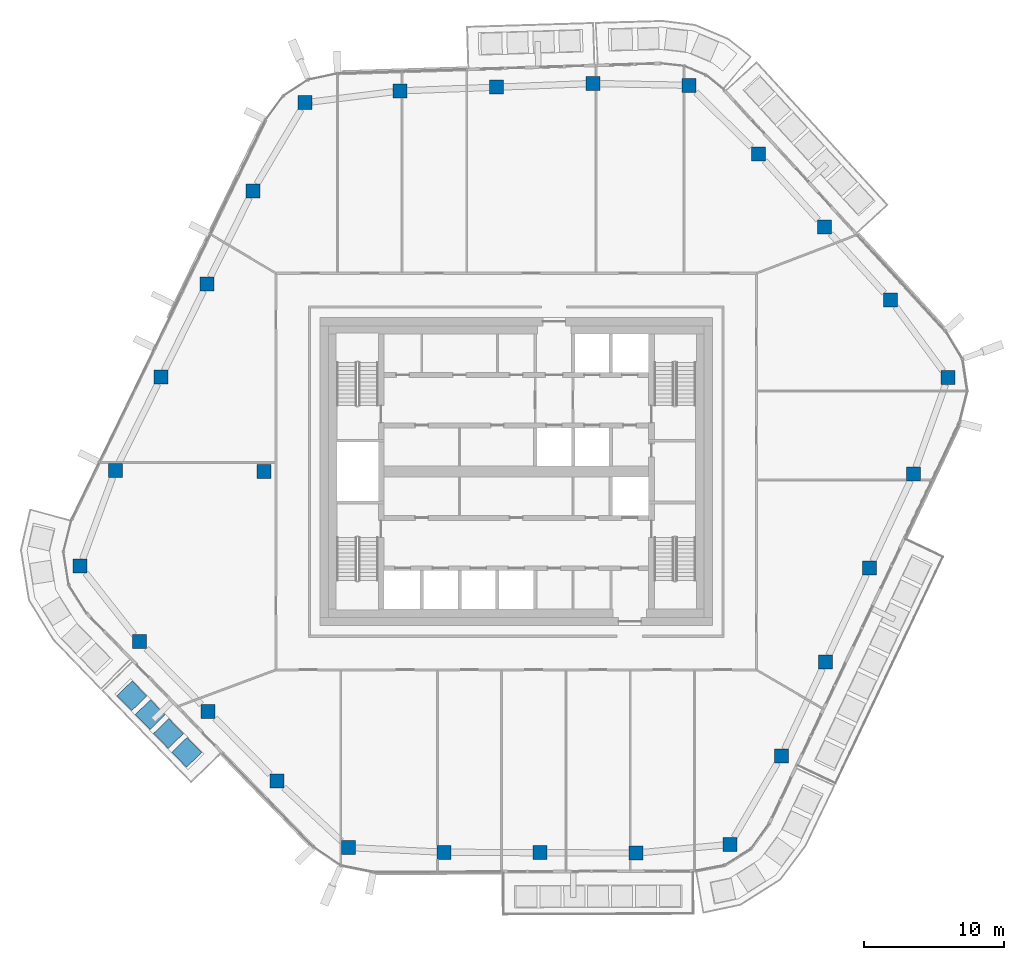
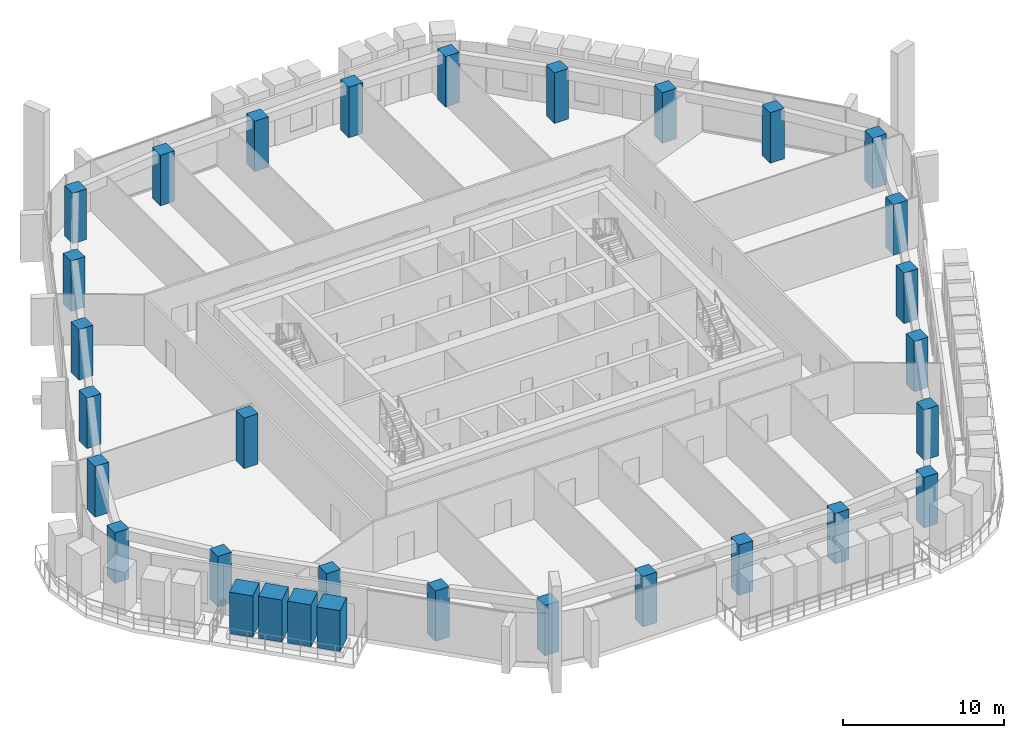
# One storey, part 1 of 24: 27 columns, 4 members.
"""IFC4 building model written with IfcOpenShell, lengths in metres."""

import ifcopenshell
import ifcopenshell.guid

model = None  # the IFC model being written
_history = None  # IfcOwnerHistory: only IFC2X3 demands one
_inside = {}  # id of a spatial element -> (the spatial element, [elements in it])
_under = {}  # id of a project, library or spatial element -> (it, [spatial elements below it])
_declared = {}  # id of a project -> (the project, [libraries it declares])
_typed = {}  # id of a type object -> (the type object, [elements of that type])
_made_of = {}  # id of a material, layer set ... -> (it, [elements and type objects made of it])


def new_model(schema):
    """Start an empty IFC model of exactly this schema.

    Asked for "IFC4X3", IfcOpenShell would pick the latest addendum, in which some entities
    have other attributes; the version numbers below select the first issue.
    IFC2X3 requires an IfcOwnerHistory on every rooted entity: one is made here for all.
    """
    global model, _history
    if schema == "IFC4X3":
        model = ifcopenshell.file(schema_version=(4, 3, 0, 0))
    else:
        model = ifcopenshell.file(schema=schema)
    _inside.clear()
    _under.clear()
    _declared.clear()
    _typed.clear()
    _made_of.clear()
    _history = None
    if model.schema == "IFC2X3":
        org = make("IfcOrganization", Name="unknown")
        user = make(
            "IfcPersonAndOrganization",
            ThePerson=make("IfcPerson", FamilyName="unknown"),
            TheOrganization=org,
        )
        app = make(
            "IfcApplication",
            ApplicationDeveloper=org,
            Version="unknown",
            ApplicationFullName="unknown",
            ApplicationIdentifier="unknown",
        )
        _history = make(
            "IfcOwnerHistory",
            OwningUser=user,
            OwningApplication=app,
            ChangeAction="ADDED",
            CreationDate=0,
        )
    return model


def make(cls, **values):
    """One entity of the class cls with the attributes given. An attribute that is None is left unset."""
    return model.create_entity(
        cls, **{name: value for name, value in values.items() if value is not None}
    )


def rooted(cls, **values):
    """An entity with a GlobalId (a new one), such as an element, a storey or a relation."""
    return make(cls, GlobalId=ifcopenshell.guid.new(), OwnerHistory=_history, **values)


def si_unit(unit_type, name, prefix=None):
    """IfcSIUnit, for example si_unit("LENGTHUNIT", "METRE", prefix="MILLI")."""
    return make("IfcSIUnit", UnitType=unit_type, Prefix=prefix, Name=name)


def assignment(units):
    """IfcUnitAssignment: the units of a project."""
    return None if units is None else make("IfcUnitAssignment", Units=units)


def point(xyz):
    """IfcCartesianPoint."""
    return None if xyz is None else make("IfcCartesianPoint", Coordinates=xyz)


def direction(xyz):
    """IfcDirection."""
    return None if xyz is None else make("IfcDirection", DirectionRatios=xyz)


def frame(location, z_axis=None, x_axis=None):
    """IfcAxis2Placement3D, a coordinate frame: its origin and axes. An axis left out is left unset."""
    return make(
        "IfcAxis2Placement3D",
        Location=point(location),
        Axis=direction(z_axis),
        RefDirection=direction(x_axis),
    )


def frame_2d(location, x_axis=None):
    """IfcAxis2Placement2D, a coordinate frame in the plane: its origin and x axis."""
    return make(
        "IfcAxis2Placement2D", Location=point(location), RefDirection=direction(x_axis)
    )


def origin():
    """The frame at (0, 0, 0) with its axes left unset."""
    return frame((0.0, 0.0, 0.0))


def origin_2d():
    """The frame at (0, 0) in the plane with its x axis left unset."""
    return frame_2d((0.0, 0.0))


def place(relative_to, where):
    """IfcLocalPlacement: puts the frame where relative to a parent placement (None: the world)."""
    return make(
        "IfcLocalPlacement", PlacementRelTo=relative_to, RelativePlacement=where
    )


def context(
    kind, dimensions, precision=None, world=None, true_north=None, identifier=None
):
    """IfcGeometricRepresentationContext, for example the 3D "Model" context."""
    return make(
        "IfcGeometricRepresentationContext",
        ContextIdentifier=identifier,
        ContextType=kind,
        CoordinateSpaceDimension=dimensions,
        Precision=precision,
        WorldCoordinateSystem=world,
        TrueNorth=true_north,
    )


def subcontext(parent, identifier, kind, view, scale=None):
    """IfcGeometricRepresentationSubContext, for example "Body" below "Model"."""
    return make(
        "IfcGeometricRepresentationSubContext",
        ContextIdentifier=identifier,
        ContextType=kind,
        ParentContext=parent,
        TargetScale=scale,
        TargetView=view,
    )


def project(units=None, contexts=None):
    """IfcProject with its units and contexts."""
    return rooted(
        "IfcProject",
        Name="project",
        RepresentationContexts=contexts,
        UnitsInContext=assignment(units),
    )


def spatial(cls, under=None, at=None, **own):
    """A site, building, storey or space (cls), placed at a placement, below another one or the project."""
    s = rooted(cls, ObjectPlacement=at, **own)
    if under is not None:
        _under.setdefault(under.id(), (under, []))[1].append(s)
    return s


def profile(cls, at=None, kind="AREA", **sizes):
    """A parametric profile (cls). Its sizes go by their IFC names, for example OverallWidth=200.0."""
    return make(cls, ProfileType=kind, Position=at, **sizes)


def rectangle(**sizes):
    """IfcRectangleProfileDef."""
    return profile("IfcRectangleProfileDef", **sizes)


def extrude(swept, where, along, depth):
    """IfcExtrudedAreaSolid: the profile swept, set in the frame where, extruded along a direction by depth."""
    return make(
        "IfcExtrudedAreaSolid",
        SweptArea=swept,
        Position=where,
        ExtrudedDirection=direction(along),
        Depth=depth,
    )


def shape(context_of_items, identifier, shape_type, items):
    """IfcShapeRepresentation: the items that make up one representation, for example the "Body"."""
    return make(
        "IfcShapeRepresentation",
        ContextOfItems=context_of_items,
        RepresentationIdentifier=identifier,
        RepresentationType=shape_type,
        Items=items,
    )


def material(Name=None, Category=None):
    """IfcMaterial."""
    return make("IfcMaterial", Name=Name, Category=Category)


def material_profile(
    of_material, cross_section, Name=None, Category=None, Priority=None
):
    """IfcMaterialProfile: a cross section and its material."""
    return make(
        "IfcMaterialProfile",
        Name=Name,
        Material=of_material,
        Profile=cross_section,
        Priority=Priority,
        Category=Category,
    )


def profile_set(profiles, Name=None, composite=None):
    """IfcMaterialProfileSet."""
    return make(
        "IfcMaterialProfileSet",
        Name=Name,
        MaterialProfiles=profiles,
        CompositeProfile=composite,
    )


def made_of(thing, what):
    """Note that an element or type object is made of a material, layer set ...; save() writes the relation."""
    if what is not None:
        _made_of.setdefault(what.id(), (what, []))[1].append(thing)
    return thing


def type_object(cls, material=None, **own):
    """A type object (cls), such as IfcWallType, which elements share."""
    return made_of(rooted(cls, **own), material)


def element(
    cls,
    number,
    at=None,
    inside=None,
    cuts=None,
    type_object=None,
    material=None,
    context=None,
    identifier="Body",
    shape_type=None,
    held_by="IfcProductDefinitionShape",
    body=None,
    shapes=None,
    **own,
):
    """One element of the class cls, such as IfcWall. Its Tag is "e" and its number.

    at: its placement. inside: the storey or other place that contains it. cuts: it is an
    opening in that element (IfcRelVoidsElement). A single representation is given by context,
    identifier, shape_type and body (its items); several are given by shapes. held_by: the class
    of the entity that holds the representations. save() writes the other relations.
    """
    e = rooted(cls, Tag="e%d" % number, ObjectPlacement=at, **own)
    if body is not None:
        shapes = [shape(context, identifier, shape_type, body)]
    if shapes is not None:
        e.Representation = make(held_by, Representations=shapes)
    if inside is not None:
        _inside.setdefault(inside.id(), (inside, []))[1].append(e)
    if cuts is not None:
        rooted(
            "IfcRelVoidsElement", RelatingBuildingElement=cuts, RelatedOpeningElement=e
        )
    if type_object is not None:
        _typed.setdefault(type_object.id(), (type_object, []))[1].append(e)
    return made_of(e, material)


def aggregate(whole, parts):
    """IfcRelAggregates: a whole, such as a stair, and the parts it consists of."""
    return rooted("IfcRelAggregates", RelatingObject=whole, RelatedObjects=parts)


def save(model, path):
    """Write the relations noted so far, then the file.

    IfcRelAggregates (storeys below a building ...), IfcRelContainedInSpatialStructure (elements
    in a storey), IfcRelDefinesByType, IfcRelAssociatesMaterial and IfcRelDeclares: one each for
    every whole, place, type object, material and project.
    """
    for whole, parts in _under.values():
        aggregate(whole, parts)
    for where, things in _inside.values():
        rooted(
            "IfcRelContainedInSpatialStructure",
            RelatedElements=things,
            RelatingStructure=where,
        )
    for kind, things in _typed.values():
        rooted("IfcRelDefinesByType", RelatedObjects=things, RelatingType=kind)
    for what, things in _made_of.values():
        rooted("IfcRelAssociatesMaterial", RelatedObjects=things, RelatingMaterial=what)
    for by, libraries in _declared.values():
        rooted("IfcRelDeclares", RelatingContext=by, RelatedDefinitions=libraries)
    model.write(path)


model = new_model("IFC4")

# Units and contexts
model_context = context("Model", 3, precision=1e-05, world=origin(), true_north=direction((0.0, 1.0)))
body_context = subcontext(model_context, "Body", "Model", "MODEL_VIEW")
ifc_project = project(units=[si_unit("LENGTHUNIT", "METRE"), si_unit("AREAUNIT", "SQUARE_METRE"), si_unit("VOLUMEUNIT", "CUBIC_METRE"), si_unit("PLANEANGLEUNIT", "RADIAN"), si_unit("MASSUNIT", "GRAM", prefix="KILO")], contexts=[model_context])

# Site, building, storey
site_placement = place(None, origin())
site = spatial("IfcSite", under=ifc_project, at=site_placement, CompositionType="ELEMENT")
building_placement = place(site_placement, origin())
building = spatial("IfcBuilding", under=site, at=building_placement, Name="Dongbaek Canopy Tower", CompositionType="ELEMENT")
storey_placement = place(building_placement, frame((0.0, 0.0, 344.60009765625)))
storey = spatial("IfcBuildingStorey", under=building, at=storey_placement, Name="L74", CompositionType="ELEMENT", Elevation=344.60009765625)

# Columns
ifc_material_1 = material(Name="Concrete C60", Category="concrete")
ifc_material_profile_1 = material_profile(ifc_material_1, rectangle(XDim=1.0, YDim=1.0, at=origin_2d()), Name="RC COLUMN 1000x1000 C60")
ifc_profile_set_1 = profile_set([ifc_material_profile_1], Name="Concrete C60")
column_type = type_object("IfcColumnType", Name="RC COLUMN 1000x1000 C60", PredefinedType="COLUMN", material=ifc_profile_set_1)
for number, where, z_axis, x_axis, name in (
    (1, (15.251953125, -26.60693359375, 0.0), (0.0, 0.0, 1.0), (1.0, 0.0, 0.0), "COL:CZ5-01:L74"),
    (2, (8.533935546875, -27.22705078125, 0.0), (0.0, 0.0, 1.0), (1.0, 0.0, 0.0), "COL:CZ5-02:L74"),
    (3, (1.68310546875, -27.197021484375, 0.0), (0.0, 0.0, 1.0), (1.0, 0.0, 0.0), "COL:CZ5-03:L74"),
    (4, (-5.166015625, -27.1669921875, 0.0), (0.0, 0.0, 1.0), (1.0, 0.0, 0.0), "COL:CZ5-04:L74"),
    (5, (-11.985107421875, -26.8310546875, 0.0), (0.0, 0.0, 1.0), (1.0, 0.0, 0.0), "COL:CZ5-05:L74"),
    (6, (-17.083984375, -22.089111328125, 0.0), (0.0, 0.0, 1.0), (1.0, 0.0, 0.0), "COL:CZ5-06:L74"),
    (7, (-21.986083984375, -17.112060546875, 0.0), (0.0, 0.0, 1.0), (1.0, 0.0, 0.0), "COL:CZ5-07:L74"),
    (8, (-26.888916015625, -12.134033203125, 0.0), (0.0, 0.0, 1.0), (1.0, 0.0, 0.0), "COL:CZ5-08:L74"),
    (9, (-31.12890625, -6.7451171875, 0.0), (0.0, 0.0, 1.0), (1.0, 0.0, 0.0), "COL:CZ5-09:L74"),
    (10, (-28.616943359375, 0.0859375, 0.0), (0.0, 0.0, 1.0), (1.0, 0.0, 0.0), "COL:CZ5-10:L74"),
    (11, (-25.346923828125, 6.735107421875, 0.0), (0.0, 0.0, 1.0), (1.0, 0.0, 0.0), "COL:CZ5-11:L74"),
    (12, (-22.075927734375, 13.384033203125, 0.0), (0.0, 0.0, 1.0), (1.0, 0.0, 0.0), "COL:CZ5-12:L74"),
    (13, (-18.805908203125, 20.031982421875, 0.0), (0.0, 0.0, 1.0), (1.0, 0.0, 0.0), "COL:CZ5-13:L74"),
    (14, (-15.06201171875, 26.321044921875, 0.0), (0.0, 0.0, 1.0), (1.0, 0.0, 0.0), "COL:CZ5-14:L74"),
    (15, (-8.30908203125, 27.1640625, 0.0), (0.0, 0.0, 1.0), (1.0, 0.0, 0.0), "COL:CZ5-15:L74"),
    (16, (-1.41796875, 27.427978515625, 0.0), (0.0, 0.0, 1.0), (1.0, 0.0, 0.0), "COL:CZ5-16:L74"),
    (17, (5.470947265625, 27.69189453125, 0.0), (0.0, 0.0, 1.0), (1.0, 0.0, 0.0), "COL:CZ5-17:L74"),
    (18, (12.31396484375, 27.56298828125, 0.0), (0.0, 0.0, 1.0), (1.0, 0.0, 0.0), "COL:CZ5-18:L74"),
    (19, (17.27587890625, 22.666015625, 0.0), (0.0, 0.0, 1.0), (1.0, 0.0, 0.0), "COL:CZ5-19:L74"),
    (20, (21.989990234375, 17.4619140625, 0.0), (0.0, 0.0, 1.0), (1.0, 0.0, 0.0), "COL:CZ5-20:L74"),
    (21, (26.702880859375, 12.257080078125, 0.0), (0.0, 0.0, 1.0), (1.0, 0.0, 0.0), "COL:CZ5-21:L74"),
    (22, (30.804931640625, 6.697998046875, 0.0), (0.0, 0.0, 1.0), (1.0, 0.0, 0.0), "COL:CZ5-22:L74"),
    (23, (28.35107421875, -0.169921875, 0.0), (0.0, 0.0, 1.0), (1.0, 0.0, 0.0), "COL:CZ5-23:L74"),
    (24, (25.2099609375, -6.87890625, 0.0), (0.0, 0.0, 1.0), (1.0, 0.0, 0.0), "COL:CZ5-24:L74"),
    (25, (22.068115234375, -13.587890625, 0.0), (0.0, 0.0, 1.0), (1.0, 0.0, 0.0), "COL:CZ5-25:L74"),
    (26, (18.925048828125, -20.2958984375, 0.0), (0.0, 0.0, 1.0), (1.0, 0.0, 0.0), "COL:CZ5-26:L74"),
    (27, (-18.0, 0.0, 0.0), (0.0, 0.0, 1.0), (1.0, 0.0, 0.0), "COL:CIZ5-01:L74"),
):
    element("IfcColumn", number, at=place(storey_placement, frame(where, z_axis=z_axis, x_axis=x_axis)), inside=storey, type_object=column_type, Name=name, PredefinedType="COLUMN", context=body_context, shape_type="SweptSolid", body=[
        extrude(rectangle(XDim=1.0, YDim=1.0, at=origin_2d()), origin(), (0.0, 0.0, 1.0), 3.81982421875),
    ])

# Members
ifc_material_2 = material(Name="Concrete C40/50 planter mass with planting", Category="concrete")
ifc_material_profile_2 = material_profile(ifc_material_2, rectangle(XDim=1.5, YDim=1.5, at=origin_2d()), Name="Terrace PLANTER shrub mass 1500 x 1500")
ifc_profile_set_2 = profile_set([ifc_material_profile_2], Name="Concrete C40/50 planter mass with planting")
member_type = type_object("IfcMemberType", Name="Terrace PLANTER shrub mass 1500 x 1500", PredefinedType="USERDEFINED", material=ifc_profile_set_2)
member_1_placement = place(storey_placement, frame((-27.427001953125, -16.0029296875, 0.419921875), z_axis=(0.0, 0.0, 1.0), x_axis=(-0.717680445859, -0.696372585353, 0.0)))
element("IfcMember", 28, at=member_1_placement, inside=storey, type_object=member_type, Name="Planter shrubs L74 3.1", ObjectType="PLANTER", PredefinedType="USERDEFINED", context=body_context, shape_type="SweptSolid", body=[
    extrude(rectangle(XDim=1.5, YDim=1.5, at=origin_2d()), origin(), (0.0, 0.0, 1.0), 3.1298828125),
])
member_2_placement = place(storey_placement, frame((-26.121826171875, -17.347900390625, 0.419921875), z_axis=(0.0, 0.0, 1.0), x_axis=(-0.717680445859, -0.696372585353, 0.0)))
element("IfcMember", 29, at=member_2_placement, inside=storey, type_object=member_type, Name="Planter shrubs L74 3.2", ObjectType="PLANTER", PredefinedType="USERDEFINED", context=body_context, shape_type="SweptSolid", body=[
    extrude(rectangle(XDim=1.5, YDim=1.5, at=origin_2d()), origin(), (0.0, 0.0, 1.0), 3.179931640625),
])
member_3_placement = place(storey_placement, frame((-24.816650390625, -18.693115234375, 0.419921875), z_axis=(0.0, 0.0, 1.0), x_axis=(-0.717680445859, -0.696372585353, 0.0)))
element("IfcMember", 30, at=member_3_placement, inside=storey, type_object=member_type, Name="Planter shrubs L74 3.3", ObjectType="PLANTER", PredefinedType="USERDEFINED", context=body_context, shape_type="SweptSolid", body=[
    extrude(rectangle(XDim=1.5, YDim=1.5, at=origin_2d()), origin(), (0.0, 0.0, 1.0), 3.169921875),
])
member_4_placement = place(storey_placement, frame((-23.511474609375, -20.0380859375, 0.419921875), z_axis=(0.0, 0.0, 1.0), x_axis=(-0.717680445859, -0.696372585353, 0.0)))
element("IfcMember", 31, at=member_4_placement, inside=storey, type_object=member_type, Name="Planter shrubs L74 3.4", ObjectType="PLANTER", PredefinedType="USERDEFINED", context=body_context, shape_type="SweptSolid", body=[
    extrude(rectangle(XDim=1.5, YDim=1.5, at=origin_2d()), origin(), (0.0, 0.0, 1.0), 3.090087890625),
])

save(model, "model.ifc")
